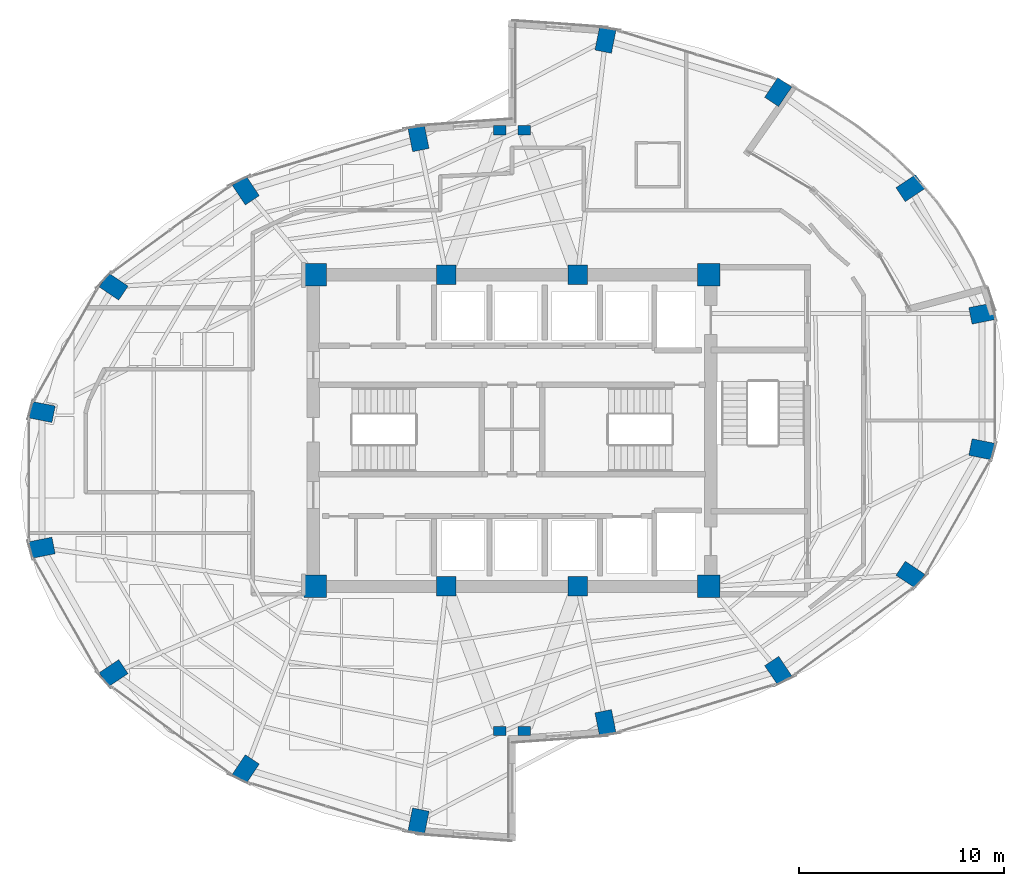
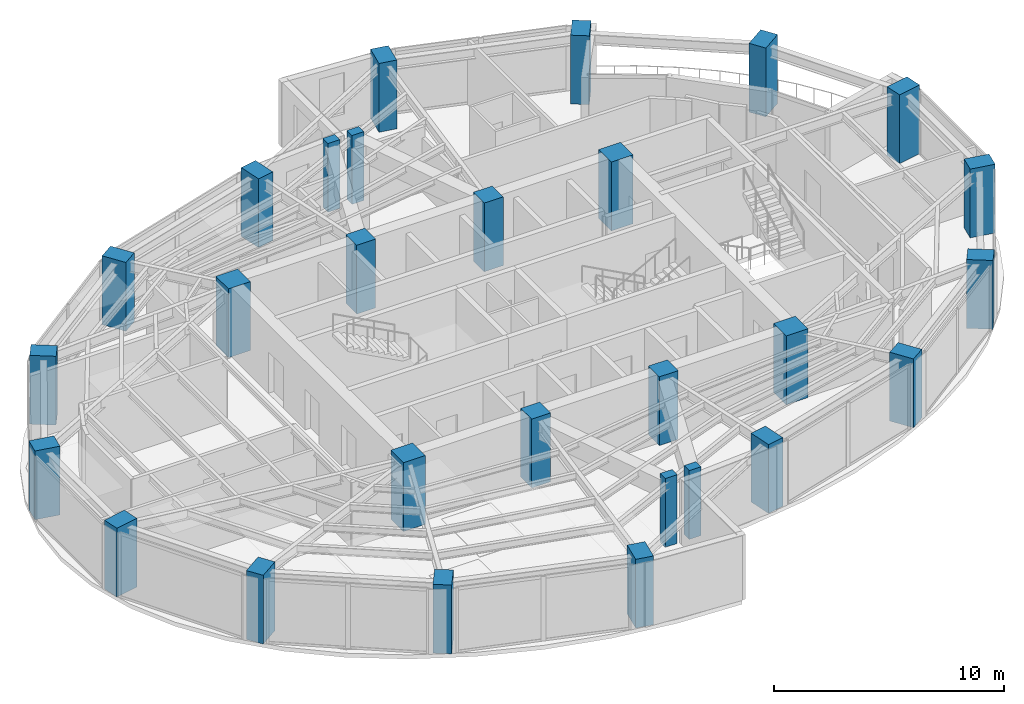
# One storey, part 1 of 19: 28 columns.
"""IFC4 building model written with IfcOpenShell, lengths in metres."""

from ifc_helpers import new_model, si_unit, direction, frame, origin, origin_2d, place, context, subcontext, project, spatial, rectangle, extrude, material, material_profile, profile_set, type_object, element, save


model = new_model("IFC4")

# Units and contexts
model_context = context("Model", 3, precision=1e-05, world=origin(), true_north=direction((0.0, 1.0)))
body_context = subcontext(model_context, "Body", "Model", "MODEL_VIEW")
ifc_project = project(units=[si_unit("LENGTHUNIT", "METRE"), si_unit("AREAUNIT", "SQUARE_METRE"), si_unit("VOLUMEUNIT", "CUBIC_METRE"), si_unit("PLANEANGLEUNIT", "RADIAN"), si_unit("MASSUNIT", "GRAM", prefix="KILO")], contexts=[model_context])

# Site, building, storey
site_placement = place(None, origin())
site = spatial("IfcSite", under=ifc_project, at=site_placement, CompositionType="ELEMENT")
building_placement = place(site_placement, origin())
building = spatial("IfcBuilding", under=site, at=building_placement, Name="Lazwardi Medical Tower", CompositionType="ELEMENT")
storey_placement = place(building_placement, frame((0.0, 0.0, 163.823974609375)))
storey = spatial("IfcBuildingStorey", under=building, at=storey_placement, Name="L42", CompositionType="ELEMENT", Elevation=163.823974609375)

# Columns
ifc_material_1 = material(Name="Concrete C80/95", Category="concrete")
ifc_material_profile_1 = material_profile(ifc_material_1, rectangle(XDim=1.10009765625, YDim=1.10009765625, at=origin_2d()), Name="RC 1100x1100")
ifc_profile_set_1 = profile_set([ifc_material_profile_1], Name="Concrete C80/95")
column_type_1 = type_object("IfcColumnType", Name="COL-CC-L", PredefinedType="COLUMN", material=ifc_profile_set_1)
for number, where, z_axis, x_axis, name in (
    (1, (26.39990234375, 20.39990234375, 0.0), (0.0, 0.0, 1.0), (1.0, 0.0, 0.0), "Core column CC-01 CC1 L42"),
    (2, (45.60009765625, 20.39990234375, 0.0), (0.0, 0.0, 1.0), (1.0, 0.0, 0.0), "Core column CC-01 CC4 L42"),
    (3, (45.60009765625, 35.60009765625, 0.0), (0.0, 0.0, 1.0), (1.0, 0.0, 0.0), "Core column CC-01 CC5 L42"),
    (4, (26.39990234375, 35.60009765625, 0.0), (0.0, 0.0, 1.0), (1.0, 0.0, 0.0), "Core column CC-01 CC8 L42"),
):
    element("IfcColumn", number, at=place(storey_placement, frame(where, z_axis=z_axis, x_axis=x_axis)), inside=storey, type_object=column_type_1, Name=name, PredefinedType="COLUMN", context=body_context, shape_type="SweptSolid", body=[
        extrude(rectangle(XDim=1.10009765625, YDim=1.10009765625, at=origin_2d()), origin(), (0.0, 0.0, 1.0), 3.64794921875),
    ])
ifc_material_2 = material(Name="Concrete C70/85", Category="concrete")
ifc_material_profile_2 = material_profile(ifc_material_2, rectangle(XDim=0.949951171875, YDim=0.949951171875, at=origin_2d()), Name="RC 950x950")
ifc_profile_set_2 = profile_set([ifc_material_profile_2], Name="Concrete C70/85")
column_type_2 = type_object("IfcColumnType", Name="COL-CC-M", PredefinedType="COLUMN", material=ifc_profile_set_2)
for number, where, z_axis, x_axis, name in (
    (5, (32.800048828125, 20.39990234375, 0.0), (0.0, 0.0, 1.0), (1.0, 0.0, 0.0), "Core column CC-02 CC2 L42"),
    (6, (39.199951171875, 20.39990234375, 0.0), (0.0, 0.0, 1.0), (1.0, 0.0, 0.0), "Core column CC-02 CC3 L42"),
    (7, (39.199951171875, 35.60009765625, 0.0), (0.0, 0.0, 1.0), (1.0, 0.0, 0.0), "Core column CC-02 CC6 L42"),
    (8, (32.800048828125, 35.60009765625, 0.0), (0.0, 0.0, 1.0), (1.0, 0.0, 0.0), "Core column CC-02 CC7 L42"),
):
    element("IfcColumn", number, at=place(storey_placement, frame(where, z_axis=z_axis, x_axis=x_axis)), inside=storey, type_object=column_type_2, Name=name, PredefinedType="COLUMN", context=body_context, shape_type="SweptSolid", body=[
        extrude(rectangle(XDim=0.949951171875, YDim=0.949951171875, at=origin_2d()), origin(), (0.0, 0.0, 1.0), 3.64794921875),
    ])
ifc_material_3 = material(Name="Concrete C60/75", Category="concrete")
ifc_material_profile_3 = material_profile(ifc_material_3, rectangle(XDim=1.14990234375, YDim=0.820068359375, at=origin_2d()), Name="CFT-RECT 1150x820")
ifc_profile_set_3 = profile_set([ifc_material_profile_3], Name="Concrete C60/75")
column_type_3 = type_object("IfcColumnType", Name="COL-MC-Z3", PredefinedType="COLUMN", material=ifc_profile_set_3)
for number, where, z_axis, x_axis, name in (
    (9, (40.560302734375, 13.751220703125, 0.0), (0.0, 0.0, 1.0), (0.195090322016, -0.980785280403, 0.0), "Mega column MC-05 M01 L42"),
    (10, (48.986572265625, 16.285888671875, 0.0), (0.0, 0.0, 1.0), (0.55557023302, -0.831469612303, 0.0), "Mega column MC-05 M02 L42"),
    (11, (55.435546875, 20.96923828125, 0.0), (0.0, 0.0, 1.0), (0.831469612303, -0.55557023302, 0.0), "Mega column MC-05 M03 L42"),
    (12, (58.92578125, 27.08837890625, 0.0), (0.0, 0.0, 1.0), (0.980785280403, -0.195090322016, 0.0), "Mega column MC-05 M04 L42"),
    (13, (58.92578125, 33.711669921875, 0.0), (0.0, 0.0, 1.0), (0.980785280403, 0.195090322016, 0.0), "Mega column MC-05 M05 L42"),
    (14, (55.435546875, 39.830810546875, 0.0), (0.0, 0.0, 1.0), (0.831469612303, 0.55557023302, 0.0), "Mega column MC-05 M06 L42"),
    (15, (48.986572265625, 44.51416015625, 0.0), (0.0, 0.0, 1.0), (0.55557023302, 0.831469612303, 0.0), "Mega column MC-05 M07 L42"),
    (16, (40.560302734375, 47.048828125, 0.0), (0.0, 0.0, 1.0), (0.195090322016, 0.980785280403, 0.0), "Mega column MC-05 M08 L42"),
    (17, (31.439697265625, 42.248779296875, 0.0), (0.0, 0.0, 1.0), (-0.195090322016, 0.980785280403, 0.0), "Mega column MC-05 M09 L42"),
    (18, (23.013427734375, 39.714111328125, 0.0), (0.0, 0.0, 1.0), (-0.55557023302, 0.831469612303, 0.0), "Mega column MC-05 M10 L42"),
    (19, (16.564453125, 35.03076171875, 0.0), (0.0, 0.0, 1.0), (-0.831469612303, 0.55557023302, 0.0), "Mega column MC-05 M11 L42"),
    (20, (13.07421875, 28.91162109375, 0.0), (0.0, 0.0, 1.0), (-0.980785280403, 0.195090322016, 0.0), "Mega column MC-05 M12 L42"),
    (21, (13.07421875, 22.288330078125, 0.0), (0.0, 0.0, 1.0), (-0.980785280403, -0.195090322016, 0.0), "Mega column MC-05 M13 L42"),
    (22, (16.564453125, 16.169189453125, 0.0), (0.0, 0.0, 1.0), (-0.831469612303, -0.55557023302, 0.0), "Mega column MC-05 M14 L42"),
    (23, (23.013427734375, 11.48583984375, 0.0), (0.0, 0.0, 1.0), (-0.55557023302, -0.831469612303, 0.0), "Mega column MC-05 M15 L42"),
    (24, (31.439697265625, 8.951171875, 0.0), (0.0, 0.0, 1.0), (-0.195090322016, -0.980785280403, 0.0), "Mega column MC-05 M16 L42"),
):
    element("IfcColumn", number, at=place(storey_placement, frame(where, z_axis=z_axis, x_axis=x_axis)), inside=storey, type_object=column_type_3, Name=name, PredefinedType="COLUMN", context=body_context, shape_type="SweptSolid", body=[
        extrude(rectangle(XDim=1.14990234375, YDim=0.820068359375, at=origin_2d()), origin(), (0.0, 0.0, 1.0), 3.64794921875),
    ])
ifc_material_profile_4 = material_profile(ifc_material_3, rectangle(XDim=0.60009765625, YDim=0.449951171875, at=origin_2d()), Name="RC 600x450")
ifc_profile_set_4 = profile_set([ifc_material_profile_4], Name="Concrete C60/75")
column_type_4 = type_object("IfcColumnType", Name="COL-PL-IW", PredefinedType="PILASTER", material=ifc_profile_set_4)
for number, where, z_axis, x_axis, name in (
    (25, (35.39990234375, 42.64990234375, 0.0), (0.0, 0.0, 1.0), (1.0, 0.0, 0.0), "Iwan pilaster column PL-C1 PL1 L42"),
    (26, (36.60009765625, 42.64990234375, 0.0), (0.0, 0.0, 1.0), (1.0, 0.0, 0.0), "Iwan pilaster column PL-C1 PL2 L42"),
    (27, (35.39990234375, 13.35009765625, 0.0), (0.0, 0.0, 1.0), (1.0, 0.0, 0.0), "Iwan pilaster column PL-C1 PL3 L42"),
    (28, (36.60009765625, 13.35009765625, 0.0), (0.0, 0.0, 1.0), (1.0, 0.0, 0.0), "Iwan pilaster column PL-C1 PL4 L42"),
):
    element("IfcColumn", number, at=place(storey_placement, frame(where, z_axis=z_axis, x_axis=x_axis)), inside=storey, type_object=column_type_4, Name=name, PredefinedType="PILASTER", context=body_context, shape_type="SweptSolid", body=[
        extrude(rectangle(XDim=0.60009765625, YDim=0.449951171875, at=origin_2d()), origin(), (0.0, 0.0, 1.0), 3.64794921875),
    ])

save(model, "model.ifc")
